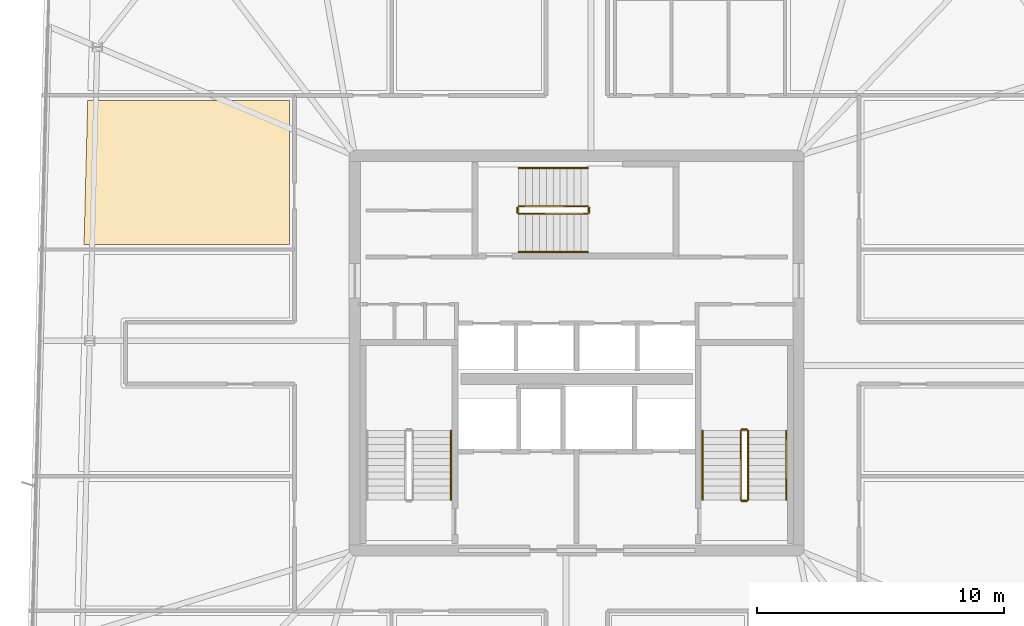
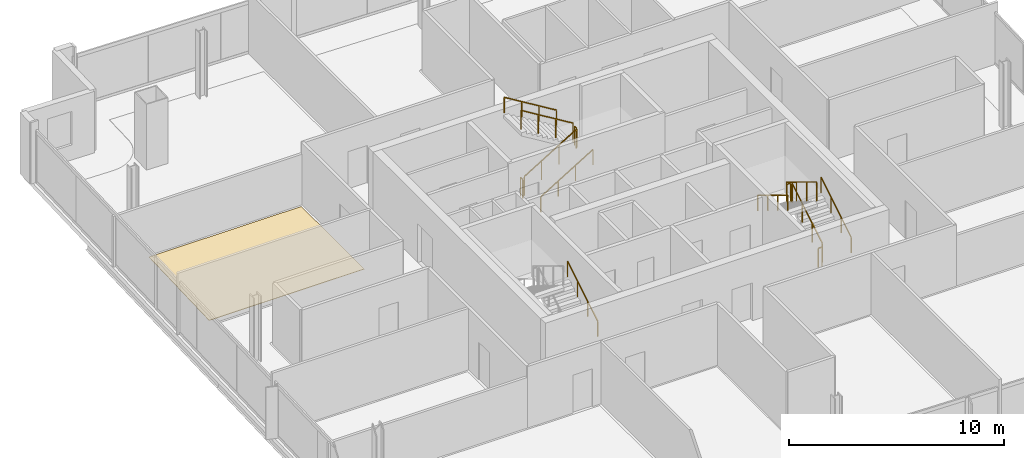
# One storey, part 24 of 25: 13 railings, 1 covering.
"""IFC4 building model written with IfcOpenShell, lengths in metres."""

from ifc_helpers import new_model, si_unit, direction, frame, origin, origin_2d, place, context, subcontext, project, spatial, polyline, rectangle, outline, extrude, material, layer, layer_set, type_object, element, save


model = new_model("IFC4")

# Units and contexts
model_context = context("Model", 3, precision=1e-05, world=origin(), true_north=direction((0.0, 1.0)))
body_context = subcontext(model_context, "Body", "Model", "MODEL_VIEW")
ifc_project = project(units=[si_unit("LENGTHUNIT", "METRE"), si_unit("AREAUNIT", "SQUARE_METRE"), si_unit("VOLUMEUNIT", "CUBIC_METRE"), si_unit("PLANEANGLEUNIT", "RADIAN"), si_unit("MASSUNIT", "GRAM", prefix="KILO")], contexts=[model_context])

# Site, building, storey
site_placement = place(None, origin())
site = spatial("IfcSite", under=ifc_project, at=site_placement, CompositionType="ELEMENT")
building_placement = place(site_placement, origin())
building = spatial("IfcBuilding", under=site, at=building_placement, Name="Haldenkirk Collegiate Tower", CompositionType="ELEMENT")
storey_placement = place(building_placement, frame((0.0, 0.0, 325.199951171875)))
storey = spatial("IfcBuildingStorey", under=building, at=storey_placement, Name="L82", CompositionType="ELEMENT", Elevation=325.199951171875)

# Covering
ifc_material_1 = material(Name="Polished collegiate terrazzo", Category="concrete")
ifc_layer = layer(ifc_material_1, 0.02490234375)
ifc_layer_set = layer_set([ifc_layer], Name="Polished collegiate terrazzo")
covering_type = type_object("IfcCoveringType", Name="COV-FLOOR-TERRAZZO", PredefinedType="FLOORING", material=ifc_layer_set)
covering_placement = place(storey_placement, origin())
element("IfcCovering", 1, at=covering_placement, inside=storey, type_object=covering_type, Name="L82 academic room finish 08", PredefinedType="FLOORING", context=body_context, shape_type="SweptSolid", body=[
    extrude(outline(polyline([(16.173095703125, 36.25), (24.35009765625, 36.25), (24.35009765625, 30.39990234375), (16.02490234375, 30.39990234375), (16.173095703125, 36.25)])), origin(), (0.0, 0.0, 1.0), 0.025146484375),
])

# Railings
ifc_material_2 = material(Name="Painted architectural tubular steel", Category="steel")
railing_type_1 = type_object("IfcRailingType", Name="RLG-STAIR-GUARD-1100", PredefinedType="BALUSTRADE", material=ifc_material_2)
railing_1_placement = place(storey_placement, frame((42.949951171875, 20.050048828125, 0.17041015625)))
element("IfcRailing", 2, at=railing_1_placement, inside=storey, type_object=railing_type_1, Name="L82 ST-2 stair guard 1", PredefinedType="BALUSTRADE", context=body_context, shape_type="SweptSolid", body=[
    extrude(rectangle(XDim=0.048095703125, YDim=0.048095703125, at=origin_2d()), frame((0.0, 0.0, 1.076171875), z_axis=(0.0, 0.854169791009, 0.51999420009), x_axis=(-1.0, 0.0, 0.0)), (0.0, 0.0, 1.0), 3.278076171875),
    extrude(rectangle(XDim=0.0419921875, YDim=0.0419921875, at=origin_2d()), origin(), (0.0, 0.0, 1.0), 1.052001953125),
    extrude(rectangle(XDim=0.0419921875, YDim=0.0419921875, at=origin_2d()), frame((0.0, 0.933349609375, 0.568115234375)), (0.0, 0.0, 1.0), 1.052001953125),
    extrude(rectangle(XDim=0.0419921875, YDim=0.0419921875, at=origin_2d()), frame((0.0, 1.86669921875, 1.136474609375)), (0.0, 0.0, 1.0), 1.052001953125),
    extrude(rectangle(XDim=0.0419921875, YDim=0.0419921875, at=origin_2d()), frame((0.0, 2.800048828125, 1.70458984375)), (0.0, 0.0, 1.0), 1.052001953125),
])
railing_2_placement = place(storey_placement, frame((42.89990234375, 22.89990234375, 1.875)))
element("IfcRailing", 3, at=railing_2_placement, inside=storey, type_object=railing_type_1, Name="L82 ST-2 stair guard 2", PredefinedType="BALUSTRADE", context=body_context, shape_type="SweptSolid", body=[
    extrude(rectangle(XDim=0.048095703125, YDim=0.048095703125, at=origin_2d()), frame((0.0, 0.0, 1.076171875), z_axis=(-1.0, 0.0, 0.0), x_axis=(0.0, -1.0, 0.0)), (0.0, 0.0, 1.0), 0.199951171875),
    extrude(rectangle(XDim=0.0419921875, YDim=0.0419921875, at=origin_2d()), origin(), (0.0, 0.0, 1.0), 1.052001953125),
    extrude(rectangle(XDim=0.0419921875, YDim=0.0419921875, at=origin_2d()), frame((-0.199951171875, 0.0, 0.0)), (0.0, 0.0, 1.0), 1.052001953125),
])
railing_3_placement = place(storey_placement, frame((42.64990234375, 22.85009765625, 2.04541015625)))
element("IfcRailing", 4, at=railing_3_placement, inside=storey, type_object=railing_type_1, Name="L82 ST-2 stair guard 3", PredefinedType="BALUSTRADE", context=body_context, shape_type="SweptSolid", body=[
    extrude(rectangle(XDim=0.048095703125, YDim=0.048095703125, at=origin_2d()), frame((0.0, 0.0, 1.076171875), z_axis=(0.0, -0.854169791009, 0.51999420009), x_axis=(1.0, 0.0, 0.0)), (0.0, 0.0, 1.0), 3.278076171875),
    extrude(rectangle(XDim=0.0419921875, YDim=0.0419921875, at=origin_2d()), origin(), (0.0, 0.0, 1.0), 1.052001953125),
    extrude(rectangle(XDim=0.0419921875, YDim=0.0419921875, at=origin_2d()), frame((0.0, -0.933349609375, 0.568115234375)), (0.0, 0.0, 1.0), 1.052001953125),
    extrude(rectangle(XDim=0.0419921875, YDim=0.0419921875, at=origin_2d()), frame((0.0, -1.86669921875, 1.136474609375)), (0.0, 0.0, 1.0), 1.052001953125),
    extrude(rectangle(XDim=0.0419921875, YDim=0.0419921875, at=origin_2d()), frame((0.0, -2.800048828125, 1.70458984375)), (0.0, 0.0, 1.0), 1.052001953125),
])
railing_4_placement = place(storey_placement, frame((42.89990234375, 20.0, 0.0)))
element("IfcRailing", 5, at=railing_4_placement, inside=storey, type_object=railing_type_1, Name="L82 ST-2 stair guard 4", PredefinedType="BALUSTRADE", context=body_context, shape_type="SweptSolid", body=[
    extrude(rectangle(XDim=0.048095703125, YDim=0.048095703125, at=origin_2d()), frame((0.0, 0.0, 1.076171875), z_axis=(-1.0, 0.0, 0.0), x_axis=(0.0, -1.0, 0.0)), (0.0, 0.0, 1.0), 0.199951171875),
    extrude(rectangle(XDim=0.0419921875, YDim=0.0419921875, at=origin_2d()), origin(), (0.0, 0.0, 1.0), 1.052001953125),
    extrude(rectangle(XDim=0.0419921875, YDim=0.0419921875, at=origin_2d()), frame((-0.199951171875, 0.0, 0.0)), (0.0, 0.0, 1.0), 1.052001953125),
])
railing_5_placement = place(storey_placement, frame((33.64990234375, 31.64990234375, 0.17041015625)))
element("IfcRailing", 6, at=railing_5_placement, inside=storey, type_object=railing_type_1, Name="L82 ST-3 stair guard 1", PredefinedType="BALUSTRADE", context=body_context, shape_type="SweptSolid", body=[
    extrude(rectangle(XDim=0.048095703125, YDim=0.048095703125, at=origin_2d()), frame((0.0, 0.0, 1.076171875), z_axis=(0.854169791009, 0.0, 0.51999420009), x_axis=(0.0, 1.0, 0.0)), (0.0, 0.0, 1.0), 3.278076171875),
    extrude(rectangle(XDim=0.0419921875, YDim=0.0419921875, at=origin_2d()), origin(), (0.0, 0.0, 1.0), 1.052001953125),
    extrude(rectangle(XDim=0.0419921875, YDim=0.0419921875, at=origin_2d()), frame((0.933349609375, 0.0, 0.568115234375)), (0.0, 0.0, 1.0), 1.052001953125),
    extrude(rectangle(XDim=0.0419921875, YDim=0.0419921875, at=origin_2d()), frame((1.86669921875, 0.0, 1.136474609375)), (0.0, 0.0, 1.0), 1.052001953125),
    extrude(rectangle(XDim=0.0419921875, YDim=0.0419921875, at=origin_2d()), frame((2.800048828125, 0.0, 1.70458984375)), (0.0, 0.0, 1.0), 1.052001953125),
])
railing_6_placement = place(storey_placement, frame((36.5, 31.699951171875, 1.875)))
element("IfcRailing", 7, at=railing_6_placement, inside=storey, type_object=railing_type_1, Name="L82 ST-3 stair guard 2", PredefinedType="BALUSTRADE", context=body_context, shape_type="SweptSolid", body=[
    extrude(rectangle(XDim=0.048095703125, YDim=0.048095703125, at=origin_2d()), frame((0.0, 0.0, 1.076171875), z_axis=(0.0, 1.0, 0.0), x_axis=(-1.0, 0.0, 0.0)), (0.0, 0.0, 1.0), 0.199951171875),
    extrude(rectangle(XDim=0.0419921875, YDim=0.0419921875, at=origin_2d()), origin(), (0.0, 0.0, 1.0), 1.052001953125),
    extrude(rectangle(XDim=0.0419921875, YDim=0.0419921875, at=origin_2d()), frame((0.0, 0.199951171875, 0.0)), (0.0, 0.0, 1.0), 1.052001953125),
])
railing_7_placement = place(storey_placement, frame((36.449951171875, 31.949951171875, 2.04541015625)))
element("IfcRailing", 8, at=railing_7_placement, inside=storey, type_object=railing_type_1, Name="L82 ST-3 stair guard 3", PredefinedType="BALUSTRADE", context=body_context, shape_type="SweptSolid", body=[
    extrude(rectangle(XDim=0.048095703125, YDim=0.048095703125, at=origin_2d()), frame((0.0, 0.0, 1.076171875), z_axis=(-0.854169791009, 0.0, 0.51999420009), x_axis=(0.0, -1.0, 0.0)), (0.0, 0.0, 1.0), 3.278076171875),
    extrude(rectangle(XDim=0.0419921875, YDim=0.0419921875, at=origin_2d()), origin(), (0.0, 0.0, 1.0), 1.052001953125),
    extrude(rectangle(XDim=0.0419921875, YDim=0.0419921875, at=origin_2d()), frame((-0.933349609375, 0.0, 0.568115234375)), (0.0, 0.0, 1.0), 1.052001953125),
    extrude(rectangle(XDim=0.0419921875, YDim=0.0419921875, at=origin_2d()), frame((-1.86669921875, 0.0, 1.136474609375)), (0.0, 0.0, 1.0), 1.052001953125),
    extrude(rectangle(XDim=0.0419921875, YDim=0.0419921875, at=origin_2d()), frame((-2.800048828125, 0.0, 1.70458984375)), (0.0, 0.0, 1.0), 1.052001953125),
])
railing_8_placement = place(storey_placement, frame((33.60009765625, 31.699951171875, 0.0)))
element("IfcRailing", 9, at=railing_8_placement, inside=storey, type_object=railing_type_1, Name="L82 ST-3 stair guard 4", PredefinedType="BALUSTRADE", context=body_context, shape_type="SweptSolid", body=[
    extrude(rectangle(XDim=0.048095703125, YDim=0.048095703125, at=origin_2d()), frame((0.0, 0.0, 1.076171875), z_axis=(0.0, 1.0, 0.0), x_axis=(-1.0, 0.0, 0.0)), (0.0, 0.0, 1.0), 0.199951171875),
    extrude(rectangle(XDim=0.0419921875, YDim=0.0419921875, at=origin_2d()), origin(), (0.0, 0.0, 1.0), 1.052001953125),
    extrude(rectangle(XDim=0.0419921875, YDim=0.0419921875, at=origin_2d()), frame((0.0, 0.199951171875, 0.0)), (0.0, 0.0, 1.0), 1.052001953125),
])
railing_type_2 = type_object("IfcRailingType", Name="RLG-STAIR-HANDRAIL-900", PredefinedType="HANDRAIL", material=ifc_material_2)
for number, where, name in (
    (10, (30.89990234375, 20.050048828125, 0.17041015625), "L82 ST-1 stair handrail 1"),
    (11, (44.5, 20.050048828125, 0.17041015625), "L82 ST-2 stair handrail 1"),
):
    element("IfcRailing", number, at=place(storey_placement, frame(where)), inside=storey, type_object=railing_type_2, Name=name, PredefinedType="HANDRAIL", context=body_context, shape_type="SweptSolid", body=[
        extrude(rectangle(XDim=0.048095703125, YDim=0.048095703125, at=origin_2d()), frame((0.0, 0.0, 0.8759765625), z_axis=(0.0, 0.854169791009, 0.51999420009), x_axis=(-1.0, 0.0, 0.0)), (0.0, 0.0, 1.0), 3.278076171875),
        extrude(rectangle(XDim=0.0419921875, YDim=0.0419921875, at=origin_2d()), origin(), (0.0, 0.0, 1.0), 0.851806640625),
        extrude(rectangle(XDim=0.0419921875, YDim=0.0419921875, at=origin_2d()), frame((0.0, 0.933349609375, 0.568115234375)), (0.0, 0.0, 1.0), 0.851806640625),
        extrude(rectangle(XDim=0.0419921875, YDim=0.0419921875, at=origin_2d()), frame((0.0, 1.86669921875, 1.136474609375)), (0.0, 0.0, 1.0), 0.851806640625),
        extrude(rectangle(XDim=0.0419921875, YDim=0.0419921875, at=origin_2d()), frame((0.0, 2.800048828125, 1.70458984375)), (0.0, 0.0, 1.0), 0.851806640625),
    ])
railing_9_placement = place(storey_placement, frame((41.10009765625, 22.85009765625, 2.04541015625)))
element("IfcRailing", 12, at=railing_9_placement, inside=storey, type_object=railing_type_2, Name="L82 ST-2 stair handrail 2", PredefinedType="HANDRAIL", context=body_context, shape_type="SweptSolid", body=[
    extrude(rectangle(XDim=0.048095703125, YDim=0.048095703125, at=origin_2d()), frame((0.0, 0.0, 0.8759765625), z_axis=(0.0, -0.854169791009, 0.51999420009), x_axis=(1.0, 0.0, 0.0)), (0.0, 0.0, 1.0), 3.278076171875),
    extrude(rectangle(XDim=0.0419921875, YDim=0.0419921875, at=origin_2d()), origin(), (0.0, 0.0, 1.0), 0.851806640625),
    extrude(rectangle(XDim=0.0419921875, YDim=0.0419921875, at=origin_2d()), frame((0.0, -0.933349609375, 0.568115234375)), (0.0, 0.0, 1.0), 0.851806640625),
    extrude(rectangle(XDim=0.0419921875, YDim=0.0419921875, at=origin_2d()), frame((0.0, -1.86669921875, 1.136474609375)), (0.0, 0.0, 1.0), 0.851806640625),
    extrude(rectangle(XDim=0.0419921875, YDim=0.0419921875, at=origin_2d()), frame((0.0, -2.800048828125, 1.70458984375)), (0.0, 0.0, 1.0), 0.851806640625),
])
railing_10_placement = place(storey_placement, frame((33.64990234375, 30.10009765625, 0.17041015625)))
element("IfcRailing", 13, at=railing_10_placement, inside=storey, type_object=railing_type_2, Name="L82 ST-3 stair handrail 1", PredefinedType="HANDRAIL", context=body_context, shape_type="SweptSolid", body=[
    extrude(rectangle(XDim=0.048095703125, YDim=0.048095703125, at=origin_2d()), frame((0.0, 0.0, 0.8759765625), z_axis=(0.854169791009, 0.0, 0.51999420009), x_axis=(0.0, 1.0, 0.0)), (0.0, 0.0, 1.0), 3.278076171875),
    extrude(rectangle(XDim=0.0419921875, YDim=0.0419921875, at=origin_2d()), origin(), (0.0, 0.0, 1.0), 0.851806640625),
    extrude(rectangle(XDim=0.0419921875, YDim=0.0419921875, at=origin_2d()), frame((0.933349609375, 0.0, 0.568115234375)), (0.0, 0.0, 1.0), 0.851806640625),
    extrude(rectangle(XDim=0.0419921875, YDim=0.0419921875, at=origin_2d()), frame((1.86669921875, 0.0, 1.136474609375)), (0.0, 0.0, 1.0), 0.851806640625),
    extrude(rectangle(XDim=0.0419921875, YDim=0.0419921875, at=origin_2d()), frame((2.800048828125, 0.0, 1.70458984375)), (0.0, 0.0, 1.0), 0.851806640625),
])
railing_11_placement = place(storey_placement, frame((36.449951171875, 33.5, 2.04541015625)))
element("IfcRailing", 14, at=railing_11_placement, inside=storey, type_object=railing_type_2, Name="L82 ST-3 stair handrail 2", PredefinedType="HANDRAIL", context=body_context, shape_type="SweptSolid", body=[
    extrude(rectangle(XDim=0.048095703125, YDim=0.048095703125, at=origin_2d()), frame((0.0, 0.0, 0.8759765625), z_axis=(-0.854169791009, 0.0, 0.51999420009), x_axis=(0.0, -1.0, 0.0)), (0.0, 0.0, 1.0), 3.278076171875),
    extrude(rectangle(XDim=0.0419921875, YDim=0.0419921875, at=origin_2d()), origin(), (0.0, 0.0, 1.0), 0.851806640625),
    extrude(rectangle(XDim=0.0419921875, YDim=0.0419921875, at=origin_2d()), frame((-0.933349609375, 0.0, 0.568115234375)), (0.0, 0.0, 1.0), 0.851806640625),
    extrude(rectangle(XDim=0.0419921875, YDim=0.0419921875, at=origin_2d()), frame((-1.86669921875, 0.0, 1.136474609375)), (0.0, 0.0, 1.0), 0.851806640625),
    extrude(rectangle(XDim=0.0419921875, YDim=0.0419921875, at=origin_2d()), frame((-2.800048828125, 0.0, 1.70458984375)), (0.0, 0.0, 1.0), 0.851806640625),
])

save(model, "model.ifc")
